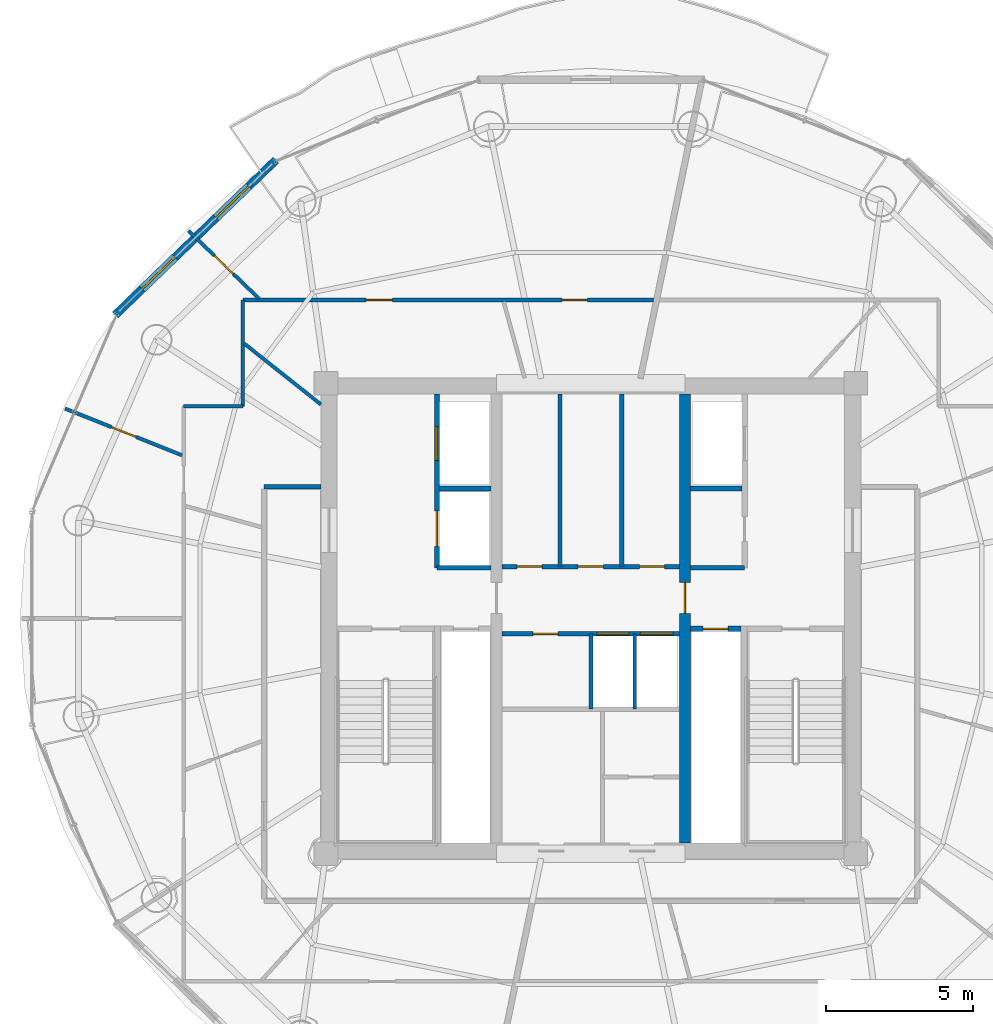
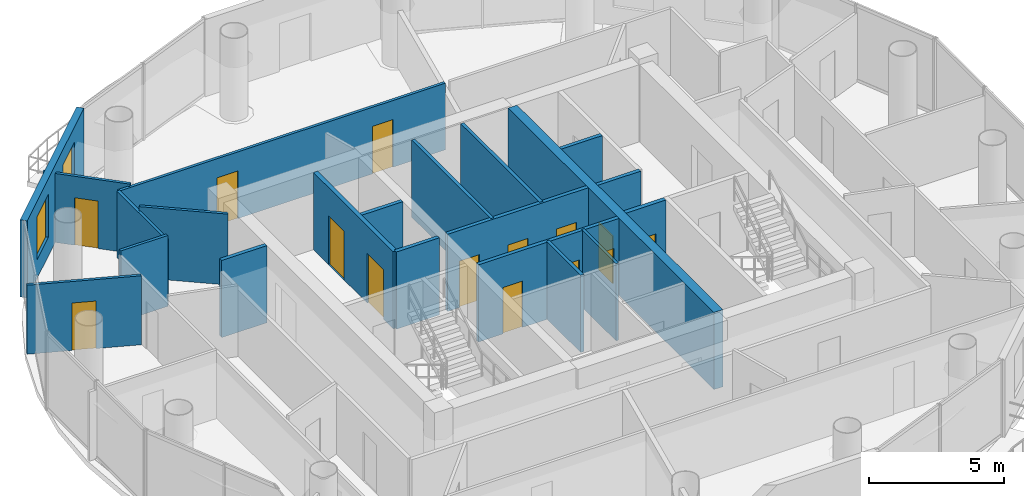
# One storey, part 15 of 21: 21 walls, 14 doors, 2 windows, 16 openings.
"""IFC4 building model written with IfcOpenShell, lengths in metres."""

import ifcopenshell
import ifcopenshell.guid

model = None  # the IFC model being written
_history = None  # IfcOwnerHistory: only IFC2X3 demands one
_inside = {}  # id of a spatial element -> (the spatial element, [elements in it])
_under = {}  # id of a project, library or spatial element -> (it, [spatial elements below it])
_declared = {}  # id of a project -> (the project, [libraries it declares])
_typed = {}  # id of a type object -> (the type object, [elements of that type])
_made_of = {}  # id of a material, layer set ... -> (it, [elements and type objects made of it])


def new_model(schema):
    """Start an empty IFC model of exactly this schema.

    Asked for "IFC4X3", IfcOpenShell would pick the latest addendum, in which some entities
    have other attributes; the version numbers below select the first issue.
    IFC2X3 requires an IfcOwnerHistory on every rooted entity: one is made here for all.
    """
    global model, _history
    if schema == "IFC4X3":
        model = ifcopenshell.file(schema_version=(4, 3, 0, 0))
    else:
        model = ifcopenshell.file(schema=schema)
    _inside.clear()
    _under.clear()
    _declared.clear()
    _typed.clear()
    _made_of.clear()
    _history = None
    if model.schema == "IFC2X3":
        org = make("IfcOrganization", Name="unknown")
        user = make(
            "IfcPersonAndOrganization",
            ThePerson=make("IfcPerson", FamilyName="unknown"),
            TheOrganization=org,
        )
        app = make(
            "IfcApplication",
            ApplicationDeveloper=org,
            Version="unknown",
            ApplicationFullName="unknown",
            ApplicationIdentifier="unknown",
        )
        _history = make(
            "IfcOwnerHistory",
            OwningUser=user,
            OwningApplication=app,
            ChangeAction="ADDED",
            CreationDate=0,
        )
    return model


def make(cls, **values):
    """One entity of the class cls with the attributes given. An attribute that is None is left unset."""
    return model.create_entity(
        cls, **{name: value for name, value in values.items() if value is not None}
    )


def rooted(cls, **values):
    """An entity with a GlobalId (a new one), such as an element, a storey or a relation."""
    return make(cls, GlobalId=ifcopenshell.guid.new(), OwnerHistory=_history, **values)


def si_unit(unit_type, name, prefix=None):
    """IfcSIUnit, for example si_unit("LENGTHUNIT", "METRE", prefix="MILLI")."""
    return make("IfcSIUnit", UnitType=unit_type, Prefix=prefix, Name=name)


def assignment(units):
    """IfcUnitAssignment: the units of a project."""
    return None if units is None else make("IfcUnitAssignment", Units=units)


def point(xyz):
    """IfcCartesianPoint."""
    return None if xyz is None else make("IfcCartesianPoint", Coordinates=xyz)


def direction(xyz):
    """IfcDirection."""
    return None if xyz is None else make("IfcDirection", DirectionRatios=xyz)


def frame(location, z_axis=None, x_axis=None):
    """IfcAxis2Placement3D, a coordinate frame: its origin and axes. An axis left out is left unset."""
    return make(
        "IfcAxis2Placement3D",
        Location=point(location),
        Axis=direction(z_axis),
        RefDirection=direction(x_axis),
    )


def frame_2d(location, x_axis=None):
    """IfcAxis2Placement2D, a coordinate frame in the plane: its origin and x axis."""
    return make(
        "IfcAxis2Placement2D", Location=point(location), RefDirection=direction(x_axis)
    )


def origin():
    """The frame at (0, 0, 0) with its axes left unset."""
    return frame((0.0, 0.0, 0.0))


def place(relative_to, where):
    """IfcLocalPlacement: puts the frame where relative to a parent placement (None: the world)."""
    return make(
        "IfcLocalPlacement", PlacementRelTo=relative_to, RelativePlacement=where
    )


def context(
    kind, dimensions, precision=None, world=None, true_north=None, identifier=None
):
    """IfcGeometricRepresentationContext, for example the 3D "Model" context."""
    return make(
        "IfcGeometricRepresentationContext",
        ContextIdentifier=identifier,
        ContextType=kind,
        CoordinateSpaceDimension=dimensions,
        Precision=precision,
        WorldCoordinateSystem=world,
        TrueNorth=true_north,
    )


def subcontext(parent, identifier, kind, view, scale=None):
    """IfcGeometricRepresentationSubContext, for example "Body" below "Model"."""
    return make(
        "IfcGeometricRepresentationSubContext",
        ContextIdentifier=identifier,
        ContextType=kind,
        ParentContext=parent,
        TargetScale=scale,
        TargetView=view,
    )


def project(units=None, contexts=None):
    """IfcProject with its units and contexts."""
    return rooted(
        "IfcProject",
        Name="project",
        RepresentationContexts=contexts,
        UnitsInContext=assignment(units),
    )


def spatial(cls, under=None, at=None, **own):
    """A site, building, storey or space (cls), placed at a placement, below another one or the project."""
    s = rooted(cls, ObjectPlacement=at, **own)
    if under is not None:
        _under.setdefault(under.id(), (under, []))[1].append(s)
    return s


def profile(cls, at=None, kind="AREA", **sizes):
    """A parametric profile (cls). Its sizes go by their IFC names, for example OverallWidth=200.0."""
    return make(cls, ProfileType=kind, Position=at, **sizes)


def rectangle(**sizes):
    """IfcRectangleProfileDef."""
    return profile("IfcRectangleProfileDef", **sizes)


def extrude(swept, where, along, depth):
    """IfcExtrudedAreaSolid: the profile swept, set in the frame where, extruded along a direction by depth."""
    return make(
        "IfcExtrudedAreaSolid",
        SweptArea=swept,
        Position=where,
        ExtrudedDirection=direction(along),
        Depth=depth,
    )


def shape(context_of_items, identifier, shape_type, items):
    """IfcShapeRepresentation: the items that make up one representation, for example the "Body"."""
    return make(
        "IfcShapeRepresentation",
        ContextOfItems=context_of_items,
        RepresentationIdentifier=identifier,
        RepresentationType=shape_type,
        Items=items,
    )


def source(mapping_origin, context_of_items, identifier, shape_type, items):
    """IfcRepresentationMap: a shape defined once, which mapped items show again and again."""
    return make(
        "IfcRepresentationMap",
        MappingOrigin=mapping_origin,
        MappedRepresentation=shape(context_of_items, identifier, shape_type, items),
    )


def transform(
    local_origin,
    x_axis=None,
    y_axis=None,
    z_axis=None,
    scale=None,
    scale2=None,
    scale3=None,
    uniform=True,
):
    """IfcCartesianTransformationOperator3D, or its non-uniform kind. x_axis, y_axis, z_axis: its Axis1, 2, 3."""
    if uniform:
        return make(
            "IfcCartesianTransformationOperator3D",
            Axis1=direction(x_axis),
            Axis2=direction(y_axis),
            LocalOrigin=point(local_origin),
            Scale=scale,
            Axis3=direction(z_axis),
        )
    return make(
        "IfcCartesianTransformationOperator3DnonUniform",
        Axis1=direction(x_axis),
        Axis2=direction(y_axis),
        LocalOrigin=point(local_origin),
        Scale=scale,
        Axis3=direction(z_axis),
        Scale2=scale2,
        Scale3=scale3,
    )


def mapped(mapping_source, mapping_target):
    """IfcMappedItem: shows the shape of a source again, moved by a transform."""
    return make(
        "IfcMappedItem", MappingSource=mapping_source, MappingTarget=mapping_target
    )


def material(Name=None, Category=None):
    """IfcMaterial."""
    return make("IfcMaterial", Name=Name, Category=Category)


def layer(
    of_material, thickness, ventilated=None, Name=None, Category=None, Priority=None
):
    """IfcMaterialLayer: one layer of a wall or slab, of a material (None: an air gap)."""
    return make(
        "IfcMaterialLayer",
        Material=of_material,
        LayerThickness=thickness,
        IsVentilated=ventilated,
        Name=Name,
        Category=Category,
        Priority=Priority,
    )


def layer_set(layers, Name=None):
    """IfcMaterialLayerSet."""
    return make("IfcMaterialLayerSet", MaterialLayers=layers, LayerSetName=Name)


def made_of(thing, what):
    """Note that an element or type object is made of a material, layer set ...; save() writes the relation."""
    if what is not None:
        _made_of.setdefault(what.id(), (what, []))[1].append(thing)
    return thing


def type_object(cls, material=None, **own):
    """A type object (cls), such as IfcWallType, which elements share."""
    return made_of(rooted(cls, **own), material)


def element(
    cls,
    number,
    at=None,
    inside=None,
    cuts=None,
    type_object=None,
    material=None,
    context=None,
    identifier="Body",
    shape_type=None,
    held_by="IfcProductDefinitionShape",
    body=None,
    shapes=None,
    **own,
):
    """One element of the class cls, such as IfcWall. Its Tag is "e" and its number.

    at: its placement. inside: the storey or other place that contains it. cuts: it is an
    opening in that element (IfcRelVoidsElement). A single representation is given by context,
    identifier, shape_type and body (its items); several are given by shapes. held_by: the class
    of the entity that holds the representations. save() writes the other relations.
    """
    e = rooted(cls, Tag="e%d" % number, ObjectPlacement=at, **own)
    if body is not None:
        shapes = [shape(context, identifier, shape_type, body)]
    if shapes is not None:
        e.Representation = make(held_by, Representations=shapes)
    if inside is not None:
        _inside.setdefault(inside.id(), (inside, []))[1].append(e)
    if cuts is not None:
        rooted(
            "IfcRelVoidsElement", RelatingBuildingElement=cuts, RelatedOpeningElement=e
        )
    if type_object is not None:
        _typed.setdefault(type_object.id(), (type_object, []))[1].append(e)
    return made_of(e, material)


def fill(opening, filler):
    """IfcRelFillsElement: the door or window that sits in an opening."""
    return rooted(
        "IfcRelFillsElement",
        RelatingOpeningElement=opening,
        RelatedBuildingElement=filler,
    )


def aggregate(whole, parts):
    """IfcRelAggregates: a whole, such as a stair, and the parts it consists of."""
    return rooted("IfcRelAggregates", RelatingObject=whole, RelatedObjects=parts)


def save(model, path):
    """Write the relations noted so far, then the file.

    IfcRelAggregates (storeys below a building ...), IfcRelContainedInSpatialStructure (elements
    in a storey), IfcRelDefinesByType, IfcRelAssociatesMaterial and IfcRelDeclares: one each for
    every whole, place, type object, material and project.
    """
    for whole, parts in _under.values():
        aggregate(whole, parts)
    for where, things in _inside.values():
        rooted(
            "IfcRelContainedInSpatialStructure",
            RelatedElements=things,
            RelatingStructure=where,
        )
    for kind, things in _typed.values():
        rooted("IfcRelDefinesByType", RelatedObjects=things, RelatingType=kind)
    for what, things in _made_of.values():
        rooted("IfcRelAssociatesMaterial", RelatedObjects=things, RelatingMaterial=what)
    for by, libraries in _declared.values():
        rooted("IfcRelDeclares", RelatingContext=by, RelatedDefinitions=libraries)
    model.write(path)


model = new_model("IFC4")

# Units and contexts
model_context = context("Model", 3, precision=1e-05, world=origin(), true_north=direction((-0.2419218956, 0.970295726276)))
body_context = subcontext(model_context, "Body", "Model", "MODEL_VIEW")
ifc_project = project(units=[si_unit("LENGTHUNIT", "METRE"), si_unit("AREAUNIT", "SQUARE_METRE"), si_unit("VOLUMEUNIT", "CUBIC_METRE"), si_unit("PLANEANGLEUNIT", "RADIAN"), si_unit("MASSUNIT", "GRAM", prefix="KILO")], contexts=[model_context])

# Site, building, storey
site_placement = place(None, origin())
site = spatial("IfcSite", under=ifc_project, at=site_placement, CompositionType="ELEMENT")
building_placement = place(site_placement, origin())
building = spatial("IfcBuilding", under=site, at=building_placement, Name="Cobrevalo Terracotta Tower", CompositionType="ELEMENT")
storey_placement = place(building_placement, frame((0.0, 0.0, 285.699951171875)))
storey = spatial("IfcBuildingStorey", under=building, at=storey_placement, Name="L75", CompositionType="ELEMENT", Elevation=285.699951171875)

# Walls
ifc_material_1 = material(Name="Gypsum board on steel stud", Category="steel")
ifc_layer_1 = layer(ifc_material_1, 0.159912109375)
ifc_layer_set_1 = layer_set([ifc_layer_1], Name="Gypsum board on steel stud")
wall_type_1 = type_object("IfcWallType", Name="Fire-rated corridor acoustic partition wall 160 mm", PredefinedType="PARTITIONING", material=ifc_layer_set_1)
wall_1_placement = place(storey_placement, frame((32.860107421875, 31.219970703125, 0.0), z_axis=(0.0, 0.0, 1.0), x_axis=(1.0, 0.0, 0.0)))
element("IfcWall", 1, at=wall_1_placement, inside=storey, type_object=wall_type_1, Name="L75 interior partition IW-L75-FF1-M", PredefinedType="PARTITIONING", context=body_context, shape_type="SweptSolid", body=[
    extrude(rectangle(XDim=1.75, YDim=0.159912109375, at=frame_2d((0.875, 0.0))), origin(), (0.0, 0.0, 1.0), 3.489990234375),
])
wall_2_placement = place(storey_placement, frame((32.77001953125, 28.52001953125, 0.0), z_axis=(0.0, 0.0, 1.0), x_axis=(1.0, 0.0, 0.0)))
element("IfcWall", 2, at=wall_2_placement, inside=storey, type_object=wall_type_1, Name="L75 interior partition IW-L75-FF1-S", PredefinedType="PARTITIONING", context=body_context, shape_type="SweptSolid", body=[
    extrude(rectangle(XDim=1.840087890625, YDim=0.159912109375, at=frame_2d((0.919921875, 0.0))), origin(), (0.0, 0.0, 1.0), 3.489990234375),
])
wall_3_placement = place(storey_placement, frame((41.389892578125, 31.219970703125, 0.0), z_axis=(0.0, 0.0, 1.0), x_axis=(1.0, 0.0, 0.0)))
element("IfcWall", 3, at=wall_3_placement, inside=storey, type_object=wall_type_1, Name="L75 interior partition IW-L75-FF2-M", PredefinedType="PARTITIONING", context=body_context, shape_type="SweptSolid", body=[
    extrude(rectangle(XDim=1.75, YDim=0.159912109375, at=frame_2d((0.875, 0.0))), origin(), (0.0, 0.0, 1.0), 3.489990234375),
])
wall_4_placement = place(storey_placement, frame((41.389892578125, 28.52001953125, 0.0), z_axis=(0.0, 0.0, 1.0), x_axis=(1.0, 0.0, 0.0)))
element("IfcWall", 4, at=wall_4_placement, inside=storey, type_object=wall_type_1, Name="L75 interior partition IW-L75-FF2-S", PredefinedType="PARTITIONING", context=body_context, shape_type="SweptSolid", body=[
    extrude(rectangle(XDim=1.840087890625, YDim=0.159912109375, at=frame_2d((0.919921875, 0.0))), origin(), (0.0, 0.0, 1.0), 3.489990234375),
])

# Wall, openings, doors
wall_5_placement = place(storey_placement, frame((34.989990234375, 28.56005859375, 0.0), z_axis=(0.0, 0.0, 1.0), x_axis=(1.0, 0.0, 0.0)))
wall_5 = element("IfcWall", 5, at=wall_5_placement, inside=storey, type_object=wall_type_1, Name="L75 interior partition IW-L75-LB-S", PredefinedType="PARTITIONING", context=body_context, shape_type="SweptSolid", body=[
    extrude(rectangle(XDim=6.02001953125, YDim=0.159912109375, at=frame_2d((3.010009765625, 0.0))), origin(), (0.0, 0.0, 1.0), 3.489990234375),
])
opening_1_placement = place(wall_5_placement, frame((0.5048828125, 0.0, 0.0)))
opening_1 = element("IfcOpeningElement", 6, at=opening_1_placement, cuts=wall_5, Name="Opening ID-22", PredefinedType="OPENING", context=body_context, shape_type="SweptSolid", body=[
    extrude(rectangle(XDim=0.85009765625, YDim=2.10009765625, at=frame_2d((0.425048828125, 1.050048828125))), frame((0.0, 0.08984375, 0.0), z_axis=(0.0, -1.0, 0.0), x_axis=(1.0, 0.0, 0.0)), (0.0, 0.0, 1.0), 0.179931640625),
])
opening_2_placement = place(wall_5_placement, frame((2.580078125, 0.0, 0.0)))
opening_2 = element("IfcOpeningElement", 7, at=opening_2_placement, cuts=wall_5, Name="Opening ID-07", PredefinedType="OPENING", context=body_context, shape_type="SweptSolid", body=[
    extrude(rectangle(XDim=0.860107421875, YDim=2.10009765625, at=frame_2d((0.43017578125, 1.050048828125))), frame((0.0, 0.08984375, 0.0), z_axis=(0.0, -1.0, 0.0), x_axis=(1.0, 0.0, 0.0)), (0.0, 0.0, 1.0), 0.179931640625),
])
opening_3_placement = place(wall_5_placement, frame((4.6650390625, 0.0, 0.0)))
opening_3 = element("IfcOpeningElement", 8, at=opening_3_placement, cuts=wall_5, Name="Opening ID-22", PredefinedType="OPENING", context=body_context, shape_type="SweptSolid", body=[
    extrude(rectangle(XDim=0.85009765625, YDim=2.10009765625, at=frame_2d((0.425048828125, 1.050048828125))), frame((0.0, 0.08984375, 0.0), z_axis=(0.0, -1.0, 0.0), x_axis=(1.0, 0.0, 0.0)), (0.0, 0.0, 1.0), 0.179931640625),
])
ifc_material_2 = material(Name="Powder-coated steel", Category="steel")
door_type_1 = type_object("IfcDoorType", Name="Riser shaft & meter closet fire access door 850x2100 EI 60", OperationType="NOTDEFINED", PredefinedType="DOOR", material=ifc_material_2)
shared_shape_1 = source(origin(), body_context, "Body", "SweptSolid", [
    extrude(rectangle(XDim=0.85009765625, YDim=2.10009765625, at=frame_2d((0.425048828125, 1.050048828125))), frame((0.0, 0.02490234375, 0.0), z_axis=(0.0, -1.0, 0.0), x_axis=(1.0, 0.0, 0.0)), (0.0, 0.0, 1.0), 0.050048828125),
])
door_1_placement = place(opening_1_placement, origin())
door_1 = element("IfcDoor", 9, at=door_1_placement, inside=storey, type_object=door_type_1, Name="L75 core service door Housekeeping Linen Store", OperationType="SINGLE_SWING_LEFT", OverallHeight=2.10009765625, OverallWidth=0.85009765625, PredefinedType="DOOR", context=body_context, shape_type="MappedRepresentation", body=[
    mapped(shared_shape_1, transform((0.0, 0.0, 0.0), scale=1.0)),
])
fill(opening_1, door_1)
door_2_placement = place(opening_3_placement, origin())
door_2 = element("IfcDoor", 10, at=door_2_placement, inside=storey, type_object=door_type_1, Name="L75 core service door Floor BMS Mechanical Plant", OperationType="SINGLE_SWING_LEFT", OverallHeight=2.10009765625, OverallWidth=0.85009765625, PredefinedType="DOOR", context=body_context, shape_type="MappedRepresentation", body=[
    mapped(shared_shape_1, transform((0.0, 0.0, 0.0), scale=1.0)),
])
fill(opening_3, door_2)
ifc_material_3 = material(Name="Fire-rated moisture-sealed timber", Category="wood")
door_type_2 = type_object("IfcDoorType", Name="Core & podium fire-rated accessible WC door 860x2100 EI 60", OperationType="NOTDEFINED", PredefinedType="DOOR", material=ifc_material_3)
shared_shape_2 = source(origin(), body_context, "Body", "SweptSolid", [
    extrude(rectangle(XDim=0.860107421875, YDim=2.10009765625, at=frame_2d((0.43017578125, 1.050048828125))), frame((0.0, 0.02490234375, 0.0), z_axis=(0.0, -1.0, 0.0), x_axis=(1.0, 0.0, 0.0)), (0.0, 0.0, 1.0), 0.050048828125),
])
door_3_placement = place(opening_2_placement, origin())
door_3 = element("IfcDoor", 11, at=door_3_placement, inside=storey, type_object=door_type_2, Name="L75 core service door Floor Service Toilet WC", OperationType="SINGLE_SWING_RIGHT", OverallHeight=2.10009765625, OverallWidth=0.860107421875, PredefinedType="DOOR", context=body_context, shape_type="MappedRepresentation", body=[
    mapped(shared_shape_2, transform((0.0, 0.0, 0.0), scale=1.0)),
])
fill(opening_2, door_3)

wall_6_placement = place(storey_placement, frame((34.989990234375, 26.280029296875, 0.0), z_axis=(0.0, 0.0, 1.0), x_axis=(1.0, 0.0, 0.0)))
wall_6 = element("IfcWall", 12, at=wall_6_placement, inside=storey, type_object=wall_type_1, Name="L75 interior partition IW-L75-MB-N", PredefinedType="PARTITIONING", context=body_context, shape_type="SweptSolid", body=[
    extrude(rectangle(XDim=6.02001953125, YDim=0.159912109375, at=frame_2d((3.010009765625, 0.0))), origin(), (0.0, 0.0, 1.0), 3.489990234375),
])
opening_4_placement = place(wall_6_placement, frame((1.044921875, 0.0, 0.0)))
opening_4 = element("IfcOpeningElement", 13, at=opening_4_placement, cuts=wall_6, Name="Opening ID-22", PredefinedType="OPENING", context=body_context, shape_type="SweptSolid", body=[
    extrude(rectangle(XDim=0.85009765625, YDim=2.10009765625, at=frame_2d((0.425048828125, 1.050048828125))), frame((0.0, 0.08984375, 0.0), z_axis=(0.0, -1.0, 0.0), x_axis=(1.0, 0.0, 0.0)), (0.0, 0.0, 1.0), 0.179931640625),
])
opening_5_placement = place(wall_6_placement, frame((3.215087890625, 0.0, 0.0)))
opening_5 = element("IfcOpeningElement", 14, at=opening_5_placement, cuts=wall_6, Name="Opening LD-01", PredefinedType="OPENING", context=body_context, shape_type="SweptSolid", body=[
    extrude(rectangle(XDim=1.10009765625, YDim=2.199951171875, at=frame_2d((0.550048828125, 1.10009765625))), frame((0.0, 0.08984375, 0.0), z_axis=(0.0, -1.0, 0.0), x_axis=(1.0, 0.0, 0.0)), (0.0, 0.0, 1.0), 0.179931640625),
])
opening_6_placement = place(wall_6_placement, frame((4.695068359375, 0.0, 0.0)))
opening_6 = element("IfcOpeningElement", 15, at=opening_6_placement, cuts=wall_6, Name="Opening LD-01", PredefinedType="OPENING", context=body_context, shape_type="SweptSolid", body=[
    extrude(rectangle(XDim=1.10009765625, YDim=2.199951171875, at=frame_2d((0.550048828125, 1.10009765625))), frame((0.0, 0.08984375, 0.0), z_axis=(0.0, -1.0, 0.0), x_axis=(1.0, 0.0, 0.0)), (0.0, 0.0, 1.0), 0.179931640625),
])
door_4_placement = place(opening_4_placement, frame((0.85009765625, 0.0, 0.0), z_axis=(0.0, 0.0, 1.0), x_axis=(-1.0, 0.0, 0.0)))
door_4 = element("IfcDoor", 16, at=door_4_placement, inside=storey, type_object=door_type_1, Name="L75 core room door High-Rise Core Linen and Equipment Store", OperationType="SINGLE_SWING_RIGHT", OverallHeight=2.10009765625, OverallWidth=0.85009765625, PredefinedType="DOOR", context=body_context, shape_type="MappedRepresentation", body=[
    mapped(shared_shape_1, transform((0.0, 0.0, 0.0), scale=1.0)),
])
fill(opening_4, door_4)
ifc_material_4 = material(Name="Brushed stainless steel", Category="steel")
door_type_3 = type_object("IfcDoorType", Name="Passenger lift landing bi-parting sliding door 1100x2200 EI 90", OperationType="DOUBLE_DOOR_SLIDING", PredefinedType="DOOR", material=ifc_material_4)
shared_shape_3 = source(origin(), body_context, "Body", "SweptSolid", [
    extrude(rectangle(XDim=1.10009765625, YDim=2.199951171875, at=frame_2d((0.550048828125, 1.10009765625))), frame((0.0, 0.02490234375, 0.0), z_axis=(0.0, -1.0, 0.0), x_axis=(1.0, 0.0, 0.0)), (0.0, 0.0, 1.0), 0.050048828125),
])
door_5_placement = place(opening_5_placement, origin())
door_5 = element("IfcDoor", 17, at=door_5_placement, inside=storey, type_object=door_type_3, Name="L75 lift landing door PL-H1", OperationType="DOUBLE_DOOR_SLIDING", OverallHeight=2.199951171875, OverallWidth=1.10009765625, PredefinedType="DOOR", context=body_context, shape_type="MappedRepresentation", body=[
    mapped(shared_shape_3, transform((0.0, 0.0, 0.0), scale=1.0)),
])
fill(opening_5, door_5)
door_6_placement = place(opening_6_placement, origin())
door_6 = element("IfcDoor", 18, at=door_6_placement, inside=storey, type_object=door_type_3, Name="L75 lift landing door PL-H2", OperationType="DOUBLE_DOOR_SLIDING", OverallHeight=2.199951171875, OverallWidth=1.10009765625, PredefinedType="DOOR", context=body_context, shape_type="MappedRepresentation", body=[
    mapped(shared_shape_3, transform((0.0, 0.0, 0.0), scale=1.0)),
])
fill(opening_6, door_6)

# Wall
wall_7_placement = place(storey_placement, frame((26.89501953125, 31.280029296875, 0.0), z_axis=(0.0, 0.0, 1.0), x_axis=(1.0, 0.0, 0.0)))
element("IfcWall", 19, at=wall_7_placement, inside=storey, type_object=wall_type_1, Name="L75 interior partition IW-L75-COR-WN-CAP", PredefinedType="PARTITIONING", context=body_context, shape_type="SweptSolid", body=[
    extrude(rectangle(XDim=1.929931640625, YDim=0.159912109375, at=frame_2d((0.96484375, 0.0))), origin(), (0.0, 0.0, 1.0), 3.489990234375),
])

# Wall, opening, door
ifc_layer_2 = layer(ifc_material_1, 0.179931640625)
ifc_layer_set_2 = layer_set([ifc_layer_2], Name="Gypsum board on steel stud")
wall_type_2 = type_object("IfcWallType", Name="Fire-rated shaft & lobby acoustic partition wall 180 mm", PredefinedType="PARTITIONING", material=ifc_layer_set_2)
wall_8_placement = place(storey_placement, frame((41.389892578125, 26.449951171875, 0.0), z_axis=(0.0, 0.0, 1.0), x_axis=(1.0, 0.0, 0.0)))
wall_8 = element("IfcWall", 20, at=wall_8_placement, inside=storey, type_object=wall_type_2, Name="L75 interior partition IW-L75-RSE-N", PredefinedType="PARTITIONING", context=body_context, shape_type="SweptSolid", body=[
    extrude(rectangle(XDim=1.710205078125, YDim=0.179931640625, at=frame_2d((0.85498046875, 0.0))), origin(), (0.0, 0.0, 1.0), 3.489990234375),
])
opening_7_placement = place(wall_8_placement, frame((0.429931640625, 0.0, 0.0)))
opening_7 = element("IfcOpeningElement", 21, at=opening_7_placement, cuts=wall_8, Name="Opening ID-22", PredefinedType="OPENING", context=body_context, shape_type="SweptSolid", body=[
    extrude(rectangle(XDim=0.85009765625, YDim=2.10009765625, at=frame_2d((0.425048828125, 1.050048828125))), frame((0.0, 0.10009765625, 0.0), z_axis=(0.0, -1.0, 0.0), x_axis=(1.0, 0.0, 0.0)), (0.0, 0.0, 1.0), 0.199951171875),
])
door_7_placement = place(opening_7_placement, origin())
door_7 = element("IfcDoor", 22, at=door_7_placement, inside=storey, type_object=door_type_1, Name="L75 riser access door RSE", OperationType="SINGLE_SWING_RIGHT", OverallHeight=2.10009765625, OverallWidth=0.85009765625, PredefinedType="DOOR", context=body_context, shape_type="MappedRepresentation", body=[
    mapped(shared_shape_1, transform((0.0, 0.0, 0.0), scale=1.0)),
])
fill(opening_7, door_7)

# Wall, openings, doors
wall_9_placement = place(storey_placement, frame((32.77001953125, 28.52001953125, 0.0), z_axis=(0.0, 0.0, 1.0), x_axis=(0.0, 1.0, 0.0)))
wall_9 = element("IfcWall", 23, at=wall_9_placement, inside=storey, type_object=wall_type_2, Name="L75 interior partition IW-L75-FF1-W", PredefinedType="PARTITIONING", context=body_context, shape_type="SweptSolid", body=[
    extrude(rectangle(XDim=5.905029296875, YDim=0.179931640625, at=frame_2d((2.95263671875, 0.0))), origin(), (0.0, 0.0, 1.0), 3.489990234375),
])
opening_8_placement = place(wall_9_placement, frame((3.655029296875, 0.0, 0.0)))
opening_8 = element("IfcOpeningElement", 24, at=opening_8_placement, cuts=wall_9, Name="Opening LD-02", PredefinedType="OPENING", context=body_context, shape_type="SweptSolid", body=[
    extrude(rectangle(XDim=1.14990234375, YDim=2.199951171875, at=frame_2d((0.574951171875, 1.10009765625))), frame((0.0, 0.10009765625, 0.0), z_axis=(0.0, -1.0, 0.0), x_axis=(1.0, 0.0, 0.0)), (0.0, 0.0, 1.0), 0.199951171875),
])
opening_9_placement = place(wall_9_placement, frame((0.72998046875, 0.0, 0.0)))
opening_9 = element("IfcOpeningElement", 25, at=opening_9_placement, cuts=wall_9, Name="Opening LD-03", PredefinedType="OPENING", context=body_context, shape_type="SweptSolid", body=[
    extrude(rectangle(XDim=1.199951171875, YDim=2.25, at=frame_2d((0.60009765625, 1.125))), frame((0.0, 0.10009765625, 0.0), z_axis=(0.0, -1.0, 0.0), x_axis=(1.0, 0.0, 0.0)), (0.0, 0.0, 1.0), 0.199951171875),
])
door_type_4 = type_object("IfcDoorType", Name="Firefighting lift landing bi-parting sliding door 1150x2200 EI 120", OperationType="DOUBLE_DOOR_SLIDING", PredefinedType="DOOR", material=ifc_material_4)
shared_shape_4 = source(origin(), body_context, "Body", "SweptSolid", [
    extrude(rectangle(XDim=1.14990234375, YDim=2.199951171875, at=frame_2d((0.574951171875, 1.10009765625))), frame((0.0, 0.02490234375, 0.0), z_axis=(0.0, -1.0, 0.0), x_axis=(1.0, 0.0, 0.0)), (0.0, 0.0, 1.0), 0.050048828125),
])
door_8_placement = place(opening_8_placement, origin())
door_8 = element("IfcDoor", 26, at=door_8_placement, inside=storey, type_object=door_type_4, Name="L75 lift landing door FF-1", OperationType="DOUBLE_DOOR_SLIDING", OverallHeight=2.199951171875, OverallWidth=1.14990234375, PredefinedType="DOOR", context=body_context, shape_type="MappedRepresentation", body=[
    mapped(shared_shape_4, transform((0.0, 0.0, 0.0), scale=1.0)),
])
fill(opening_8, door_8)
door_type_5 = type_object("IfcDoorType", Name="Service lift landing bi-parting sliding door 1200x2250 EI 120", OperationType="DOUBLE_DOOR_SLIDING", PredefinedType="DOOR", material=ifc_material_4)
shared_shape_5 = source(origin(), body_context, "Body", "SweptSolid", [
    extrude(rectangle(XDim=1.199951171875, YDim=2.25, at=frame_2d((0.60009765625, 1.125))), frame((0.0, 0.02490234375, 0.0), z_axis=(0.0, -1.0, 0.0), x_axis=(1.0, 0.0, 0.0)), (0.0, 0.0, 1.0), 0.050048828125),
])
door_9_placement = place(opening_9_placement, origin())
door_9 = element("IfcDoor", 27, at=door_9_placement, inside=storey, type_object=door_type_5, Name="L75 lift landing door SV-1", OperationType="DOUBLE_DOOR_SLIDING", OverallHeight=2.25, OverallWidth=1.199951171875, PredefinedType="DOOR", context=body_context, shape_type="MappedRepresentation", body=[
    mapped(shared_shape_5, transform((0.0, 0.0, 0.0), scale=1.0)),
])
fill(opening_9, door_9)

# Wall
ifc_material_5 = material(Name="Autoclaved aerated concrete block", Category="concrete")
ifc_layer_3 = layer(ifc_material_5, 0.1201171875)
ifc_layer_set_3 = layer_set([ifc_layer_3], Name="Autoclaved aerated concrete block")
wall_type_3 = type_object("IfcWallType", Name="Fire-rated wet-room & core service partition 120 mm", PredefinedType="PARTITIONING", material=ifc_layer_set_3)
wall_10_placement = place(storey_placement, frame((39.5, 23.719970703125, 0.0), z_axis=(0.0, 0.0, 1.0), x_axis=(0.0, 1.0, 0.0)))
element("IfcWall", 28, at=wall_10_placement, inside=storey, type_object=wall_type_3, Name="L75 interior partition IW-L75-MB-D3", PredefinedType="PARTITIONING", context=body_context, shape_type="SweptSolid", body=[
    extrude(rectangle(XDim=2.56005859375, YDim=0.1201171875, at=frame_2d((1.280029296875, 0.0))), origin(), (0.0, 0.0, 1.0), 3.489990234375),
])

# Wall, openings, windows
ifc_layer_4 = layer(ifc_material_5, 0.280029296875)
ifc_layer_set_4 = layer_set([ifc_layer_4], Name="Autoclaved aerated concrete block")
wall_type_4 = type_object("IfcWallType", Name="Insulated tower spandrel & pier wall 280 mm with terracotta rainscreen", PredefinedType="SOLIDWALL", material=ifc_layer_set_4)
wall_11_placement = place(storey_placement, frame((27.296142578125, 42.379150390625, 0.0), z_axis=(0.0, 0.0, 1.0), x_axis=(-0.719979309073, -0.693995529169, 0.0)))
wall_11 = element("IfcWall", 29, at=wall_11_placement, inside=storey, type_object=wall_type_4, Name="L75 terracotta rainscreen pier wall S06", PredefinedType="SOLIDWALL", context=body_context, shape_type="SweptSolid", body=[
    extrude(rectangle(XDim=7.58251953125, YDim=0.280029296875, at=frame_2d((3.791259765625, 0.0))), origin(), (0.0, 0.0, 1.0), 3.489990234375),
])
opening_10_placement = place(wall_11_placement, frame((1.272216796875, 0.0, 0.85009765625)))
opening_10 = element("IfcOpeningElement", 30, at=opening_10_placement, cuts=wall_11, Name="Opening WN-12", PredefinedType="OPENING", context=body_context, shape_type="SweptSolid", body=[
    extrude(rectangle(XDim=1.550048828125, YDim=1.949951171875, at=frame_2d((0.77490234375, 0.97509765625))), frame((0.0, 0.14990234375, 0.0), z_axis=(0.0, -1.0, 0.0), x_axis=(1.0, 0.0, 0.0)), (0.0, 0.0, 1.0), 0.300048828125),
])
opening_11_placement = place(wall_11_placement, frame((4.76025390625, 0.0, 0.85009765625)))
opening_11 = element("IfcOpeningElement", 31, at=opening_11_placement, cuts=wall_11, Name="Opening WN-12", PredefinedType="OPENING", context=body_context, shape_type="SweptSolid", body=[
    extrude(rectangle(XDim=1.550048828125, YDim=1.949951171875, at=frame_2d((0.77490234375, 0.97509765625))), frame((0.0, 0.14990234375, 0.0), z_axis=(0.0, -1.0, 0.0), x_axis=(1.0, 0.0, 0.0)), (0.0, 0.0, 1.0), 0.300048828125),
])
ifc_material_6 = material(Name="Solar-control low-E double glazing", Category="glass")
window_type = type_object("IfcWindowType", Name="Solar-control low-E aluminium window 1550x1950", PartitioningType="SINGLE_PANEL", PredefinedType="WINDOW", material=ifc_material_6)
shared_shape_6 = source(origin(), body_context, "Body", "SweptSolid", [
    extrude(rectangle(XDim=1.550048828125, YDim=1.949951171875, at=frame_2d((0.77490234375, 0.97509765625))), frame((0.0, 0.030029296875, 0.0), z_axis=(0.0, -1.0, 0.0), x_axis=(1.0, 0.0, 0.0)), (0.0, 0.0, 1.0), 0.06005859375),
])
window_1_placement = place(opening_10_placement, origin())
window_1 = element("IfcWindow", 32, at=window_1_placement, inside=storey, type_object=window_type, Name="L75 suite window S06A", OverallHeight=1.949951171875, OverallWidth=1.550048828125, PartitioningType="SINGLE_PANEL", PredefinedType="WINDOW", context=body_context, shape_type="MappedRepresentation", body=[
    mapped(shared_shape_6, transform((0.0, 0.0, 0.0), scale=1.0)),
])
fill(opening_10, window_1)
window_2_placement = place(opening_11_placement, origin())
window_2 = element("IfcWindow", 33, at=window_2_placement, inside=storey, type_object=window_type, Name="L75 suite window S06B", OverallHeight=1.949951171875, OverallWidth=1.550048828125, PartitioningType="SINGLE_PANEL", PredefinedType="WINDOW", context=body_context, shape_type="MappedRepresentation", body=[
    mapped(shared_shape_6, transform((0.0, 0.0, 0.0), scale=1.0)),
])
fill(opening_11, window_2)

# Wall, opening, door
ifc_material_7 = material(Name="Concrete C50", Category="concrete")
ifc_layer_5 = layer(ifc_material_7, 0.3798828125)
ifc_layer_set_5 = layer_set([ifc_layer_5], Name="Concrete C50")
wall_type_5 = type_object("IfcWallType", Name="Internal core shear web wall 380 mm Concrete C50", PredefinedType="SHEAR", material=ifc_layer_set_5)
wall_12_placement = place(storey_placement, frame((41.199951171875, 19.175048828125, 0.0), z_axis=(0.0, 0.0, 1.0), x_axis=(0.0, 1.0, 0.0)))
wall_12 = element("IfcWall", 34, at=wall_12_placement, inside=storey, type_object=wall_type_5, Name="L75 internal core shear wall WEB-E", PredefinedType="SHEAR", context=body_context, shape_type="SweptSolid", body=[
    extrude(rectangle(XDim=15.25, YDim=0.3798828125, at=frame_2d((7.625, 0.0))), origin(), (0.0, 0.0, 1.0), 3.489990234375),
])
opening_12_placement = place(wall_12_placement, frame((7.800048828125, 0.0, 0.0)))
opening_12 = element("IfcOpeningElement", 35, at=opening_12_placement, cuts=wall_12, Name="Opening ID-11", PredefinedType="OPENING", context=body_context, shape_type="SweptSolid", body=[
    extrude(rectangle(XDim=1.050048828125, YDim=2.14990234375, at=frame_2d((0.52490234375, 1.074951171875))), frame((0.0, 0.199951171875, 0.0), z_axis=(0.0, -1.0, 0.0), x_axis=(1.0, 0.0, 0.0)), (0.0, 0.0, 1.0), 0.39990234375),
])
ifc_material_8 = material(Name="Galvanized fire-rated steel", Category="steel")
door_type_6 = type_object("IfcDoorType", Name="Core concourse cross fire door 1050x2150 EI 90", OperationType="NOTDEFINED", PredefinedType="DOOR", material=ifc_material_8)
shared_shape_7 = source(origin(), body_context, "Body", "SweptSolid", [
    extrude(rectangle(XDim=1.050048828125, YDim=2.14990234375, at=frame_2d((0.52490234375, 1.074951171875))), frame((0.0, 0.02490234375, 0.0), z_axis=(0.0, -1.0, 0.0), x_axis=(1.0, 0.0, 0.0)), (0.0, 0.0, 1.0), 0.050048828125),
])
door_10_placement = place(opening_12_placement, frame((1.050048828125, 0.0, 0.0), z_axis=(0.0, 0.0, 1.0), x_axis=(-1.0, 0.0, 0.0)))
door_10 = element("IfcDoor", 36, at=door_10_placement, inside=storey, type_object=door_type_6, Name="L75 east core concourse cross door", OperationType="SINGLE_SWING_RIGHT", OverallHeight=2.14990234375, OverallWidth=1.050048828125, PredefinedType="DOOR", context=body_context, shape_type="MappedRepresentation", body=[
    mapped(shared_shape_7, transform((0.0, 0.0, 0.0), scale=1.0)),
])
fill(opening_12, door_10)

# Walls
ifc_layer_6 = layer(ifc_material_5, 0.139892578125)
ifc_layer_set_6 = layer_set([ifc_layer_6], Name="Autoclaved aerated concrete block")
wall_type_6 = type_object("IfcWallType", Name="Moisture-resistant wet-room & core service partition 140 mm", PredefinedType="PARTITIONING", material=ifc_layer_set_6)
for number, where, z_axis, x_axis, name in (
    (37, (36.949951171875, 28.56005859375, 0.0), (0.0, 0.0, 1.0), (0.0, 1.0, 0.0), "L75 interior partition IW-L75-KVN-A"),
    (38, (39.050048828125, 28.56005859375, 0.0), (0.0, 0.0, 1.0), (0.0, 1.0, 0.0), "L75 interior partition IW-L75-KVN-B"),
):
    element("IfcWall", number, at=place(storey_placement, frame(where, z_axis=z_axis, x_axis=x_axis)), inside=storey, type_object=wall_type_6, Name=name, PredefinedType="PARTITIONING", context=body_context, shape_type="SweptSolid", body=[
        extrude(rectangle(XDim=5.864990234375, YDim=0.139892578125, at=frame_2d((2.9326171875, 0.0))), origin(), (0.0, 0.0, 1.0), 3.489990234375),
    ])
wall_13_placement = place(storey_placement, frame((38.0, 23.719970703125, 0.0), z_axis=(0.0, 0.0, 1.0), x_axis=(0.0, 1.0, 0.0)))
element("IfcWall", 39, at=wall_13_placement, inside=storey, type_object=wall_type_6, Name="L75 interior partition IW-L75-MB-D2", PredefinedType="PARTITIONING", context=body_context, shape_type="SweptSolid", body=[
    extrude(rectangle(XDim=2.56005859375, YDim=0.139892578125, at=frame_2d((1.280029296875, 0.0))), origin(), (0.0, 0.0, 1.0), 3.489990234375),
])
ifc_layer_7 = layer(ifc_material_1, 0.1201171875)
ifc_layer_set_7 = layer_set([ifc_layer_7], Name="Gypsum board on steel stud")
wall_type_7 = type_object("IfcWallType", Name="Residential internal acoustic stud partition 120 mm", PredefinedType="PARTITIONING", material=ifc_layer_set_7)
wall_14_placement = place(storey_placement, frame((24.1650390625, 34.010009765625, 0.0), z_axis=(0.0, 0.0, 1.0), x_axis=(1.0, 0.0, 0.0)))
element("IfcWall", 40, at=wall_14_placement, inside=storey, type_object=wall_type_7, Name="L75 interior partition IW-L75-U1-RING2_0", PredefinedType="PARTITIONING", context=body_context, shape_type="SweptSolid", body=[
    extrude(rectangle(XDim=2.010009765625, YDim=0.1201171875, at=frame_2d((1.0048828125, 0.0))), origin(), (0.0, 0.0, 1.0), 3.208984375),
])
wall_15_placement = place(storey_placement, frame((26.175048828125, 34.010009765625, 0.0), z_axis=(0.0, 0.0, 1.0), x_axis=(0.0, 1.0, 0.0)))
element("IfcWall", 41, at=wall_15_placement, inside=storey, type_object=wall_type_7, Name="L75 interior partition IW-L75-U1-RING3_0", PredefinedType="PARTITIONING", context=body_context, shape_type="SweptSolid", body=[
    extrude(rectangle(XDim=3.614990234375, YDim=0.1201171875, at=frame_2d((1.8076171875, 0.0))), origin(), (0.0, 0.0, 1.0), 3.01513671875),
])

# Wall, openings, doors
wall_16_placement = place(storey_placement, frame((26.175048828125, 37.625, 0.0), z_axis=(0.0, 0.0, 1.0), x_axis=(1.0, 0.0, 0.0)))
wall_16 = element("IfcWall", 42, at=wall_16_placement, inside=storey, type_object=wall_type_7, Name="L75 interior partition IW-L75-U1-RING4_0", PredefinedType="PARTITIONING", context=body_context, shape_type="SweptSolid", body=[
    extrude(rectangle(XDim=13.956787109375, YDim=0.1201171875, at=frame_2d((6.978515625, 0.0))), origin(), (0.0, 0.0, 1.0), 3.01513671875),
])
opening_13_placement = place(wall_16_placement, frame((10.852294921875, 0.0, 0.0)))
opening_13 = element("IfcOpeningElement", 43, at=opening_13_placement, cuts=wall_16, Name="Opening ID-19", PredefinedType="OPENING", context=body_context, shape_type="SweptSolid", body=[
    extrude(rectangle(XDim=0.860107421875, YDim=2.14990234375, at=frame_2d((0.43017578125, 1.074951171875))), frame((0.0, 0.070068359375, 0.0), z_axis=(0.0, -1.0, 0.0), x_axis=(1.0, 0.0, 0.0)), (0.0, 0.0, 1.0), 0.14013671875),
])
opening_14_placement = place(wall_16_placement, frame((4.1826171875, 0.0, 0.0)))
opening_14 = element("IfcOpeningElement", 44, at=opening_14_placement, cuts=wall_16, Name="Opening ID-12", PredefinedType="OPENING", context=body_context, shape_type="SweptSolid", body=[
    extrude(rectangle(XDim=0.89990234375, YDim=2.14990234375, at=frame_2d((0.449951171875, 1.074951171875))), frame((0.0, 0.070068359375, 0.0), z_axis=(0.0, -1.0, 0.0), x_axis=(1.0, 0.0, 0.0)), (0.0, 0.0, 1.0), 0.14013671875),
])
ifc_material_9 = material(Name="Moisture-sealed timber", Category="wood")
door_type_7 = type_object("IfcDoorType", Name="Suite bathroom internal timber door 860x2150", OperationType="NOTDEFINED", PredefinedType="DOOR", material=ifc_material_9)
shared_shape_8 = source(origin(), body_context, "Body", "SweptSolid", [
    extrude(rectangle(XDim=0.860107421875, YDim=2.14990234375, at=frame_2d((0.43017578125, 1.074951171875))), frame((0.0, 0.02490234375, 0.0), z_axis=(0.0, -1.0, 0.0), x_axis=(1.0, 0.0, 0.0)), (0.0, 0.0, 1.0), 0.050048828125),
])
door_11_placement = place(opening_13_placement, frame((0.860107421875, 0.0, 0.0), z_axis=(0.0, 0.0, 1.0), x_axis=(-1.0, 0.0, 0.0)))
door_11 = element("IfcDoor", 45, at=door_11_placement, inside=storey, type_object=door_type_7, Name="Flat L75A Guest Bathroom internal door", OperationType="SINGLE_SWING_RIGHT", OverallHeight=2.14990234375, OverallWidth=0.860107421875, PredefinedType="DOOR", context=body_context, shape_type="MappedRepresentation", body=[
    mapped(shared_shape_8, transform((0.0, 0.0, 0.0), scale=1.0)),
])
fill(opening_13, door_11)
ifc_material_10 = material(Name="Engineered timber", Category="wood")
door_type_8 = type_object("IfcDoorType", Name="Internal residence & suite timber door 900x2150", OperationType="NOTDEFINED", PredefinedType="DOOR", material=ifc_material_10)
shared_shape_9 = source(origin(), body_context, "Body", "SweptSolid", [
    extrude(rectangle(XDim=0.89990234375, YDim=2.14990234375, at=frame_2d((0.449951171875, 1.074951171875))), frame((0.0, 0.02490234375, 0.0), z_axis=(0.0, -1.0, 0.0), x_axis=(1.0, 0.0, 0.0)), (0.0, 0.0, 1.0), 0.050048828125),
])
door_12_placement = place(opening_14_placement, frame((0.89990234375, 0.0, 0.0), z_axis=(0.0, 0.0, 1.0), x_axis=(-1.0, 0.0, 0.0)))
door_12 = element("IfcDoor", 46, at=door_12_placement, inside=storey, type_object=door_type_8, Name="Flat L75A Utility Closet internal door", OperationType="SINGLE_SWING_LEFT", OverallHeight=2.14990234375, OverallWidth=0.89990234375, PredefinedType="DOOR", context=body_context, shape_type="MappedRepresentation", body=[
    mapped(shared_shape_9, transform((0.0, 0.0, 0.0), scale=1.0)),
])
fill(opening_14, door_12)

# Wall, opening, door
wall_17_placement = place(storey_placement, frame((26.72509765625, 37.66796875, 0.0), z_axis=(0.0, 0.0, 1.0), x_axis=(-0.719954096891, 0.694021684366, 0.0)))
wall_17 = element("IfcWall", 47, at=wall_17_placement, inside=storey, type_object=wall_type_7, Name="L75 interior partition IW-L75-U1-ORAD1", PredefinedType="PARTITIONING", context=body_context, shape_type="SweptSolid", body=[
    extrude(rectangle(XDim=3.332763671875, YDim=0.1201171875, at=frame_2d((1.66650390625, 0.0))), origin(), (0.0, 0.0, 1.0), 3.12109375),
])
opening_15_placement = place(wall_17_placement, frame((1.21630859375, 0.0, 0.0)))
opening_15 = element("IfcOpeningElement", 48, at=opening_15_placement, cuts=wall_17, Name="Opening ID-12", PredefinedType="OPENING", context=body_context, shape_type="SweptSolid", body=[
    extrude(rectangle(XDim=0.89990234375, YDim=2.14990234375, at=frame_2d((0.449951171875, 1.074951171875))), frame((0.0, 0.070068359375, 0.0), z_axis=(0.0, -1.0, 0.0), x_axis=(1.0, 0.0, 0.0)), (0.0, 0.0, 1.0), 0.14013671875),
])
door_13_placement = place(opening_15_placement, frame((0.89990234375, 0.0, 0.0), z_axis=(0.0, 0.0, 1.0), x_axis=(-1.0, 0.0, 0.0)))
door_13 = element("IfcDoor", 49, at=door_13_placement, inside=storey, type_object=door_type_8, Name="Flat L75A Penthouse Living and Dining Room internal door", OperationType="SINGLE_SWING_LEFT", OverallHeight=2.14990234375, OverallWidth=0.89990234375, PredefinedType="DOOR", context=body_context, shape_type="MappedRepresentation", body=[
    mapped(shared_shape_9, transform((0.0, 0.0, 0.0), scale=1.0)),
])
fill(opening_15, door_13)

wall_18_placement = place(storey_placement, frame((24.107421875, 32.346923828125, 0.0), z_axis=(0.0, 0.0, 1.0), x_axis=(-0.928712556691, 0.370800467966, 0.0)))
wall_18 = element("IfcWall", 50, at=wall_18_placement, inside=storey, type_object=wall_type_7, Name="L75 interior partition IW-L75-U1-ORAD2M1", PredefinedType="PARTITIONING", context=body_context, shape_type="SweptSolid", body=[
    extrude(rectangle(XDim=4.27978515625, YDim=0.1201171875, at=frame_2d((2.139892578125, 0.0))), origin(), (0.0, 0.0, 1.0), 3.12109375),
])
opening_16_placement = place(wall_18_placement, frame((1.68994140625, 0.0, 0.0)))
opening_16 = element("IfcOpeningElement", 51, at=opening_16_placement, cuts=wall_18, Name="Opening ID-12", PredefinedType="OPENING", context=body_context, shape_type="SweptSolid", body=[
    extrude(rectangle(XDim=0.89990234375, YDim=2.14990234375, at=frame_2d((0.449951171875, 1.074951171875))), frame((0.0, 0.070068359375, 0.0), z_axis=(0.0, -1.0, 0.0), x_axis=(1.0, 0.0, 0.0)), (0.0, 0.0, 1.0), 0.14013671875),
])
door_14_placement = place(opening_16_placement, frame((0.89990234375, 0.0, 0.0), z_axis=(0.0, 0.0, 1.0), x_axis=(-1.0, 0.0, 0.0)))
door_14 = element("IfcDoor", 52, at=door_14_placement, inside=storey, type_object=door_type_8, Name="Flat L75A Master Bedroom internal door", OperationType="SINGLE_SWING_RIGHT", OverallHeight=2.14990234375, OverallWidth=0.89990234375, PredefinedType="DOOR", context=body_context, shape_type="MappedRepresentation", body=[
    mapped(shared_shape_9, transform((0.0, 0.0, 0.0), scale=1.0)),
])
fill(opening_16, door_14)

# Wall
wall_19_placement = place(storey_placement, frame((28.824951171875, 34.077392578125, 0.0), z_axis=(0.0, 0.0, 1.0), x_axis=(-0.783444596274, 0.621461635637, 0.0)))
element("IfcWall", 53, at=wall_19_placement, inside=storey, type_object=wall_type_7, Name="L75 interior partition IW-L75-U1-IRAD2", PredefinedType="PARTITIONING", context=body_context, shape_type="SweptSolid", body=[
    extrude(rectangle(XDim=3.3203125, YDim=0.1201171875, at=frame_2d((1.66015625, 0.0))), origin(), (0.0, 0.0, 1.0), 3.208984375),
])

save(model, "model.ifc")
